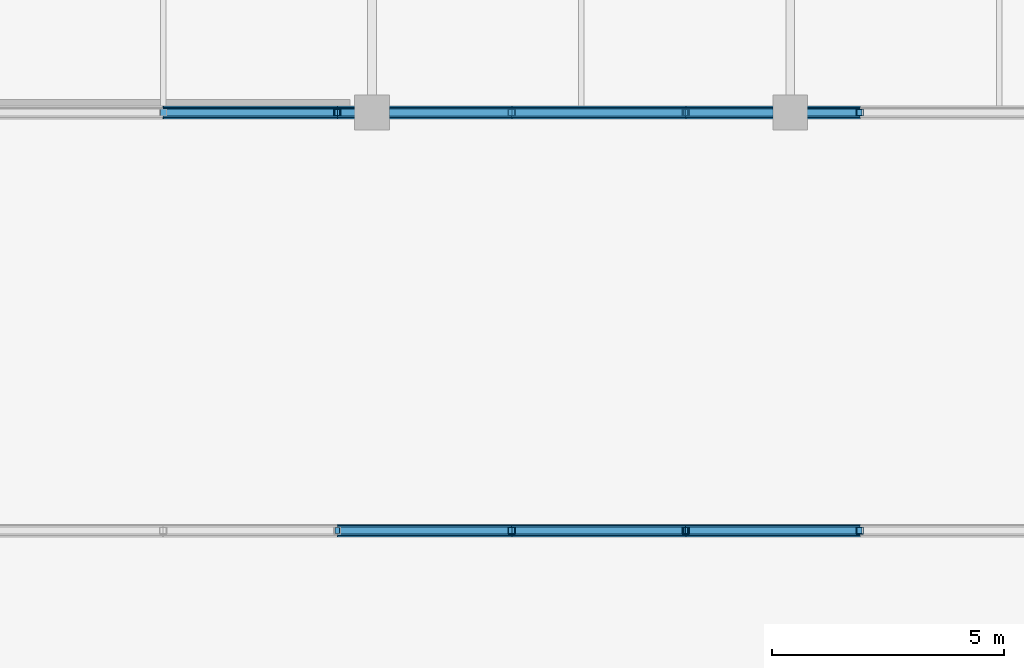
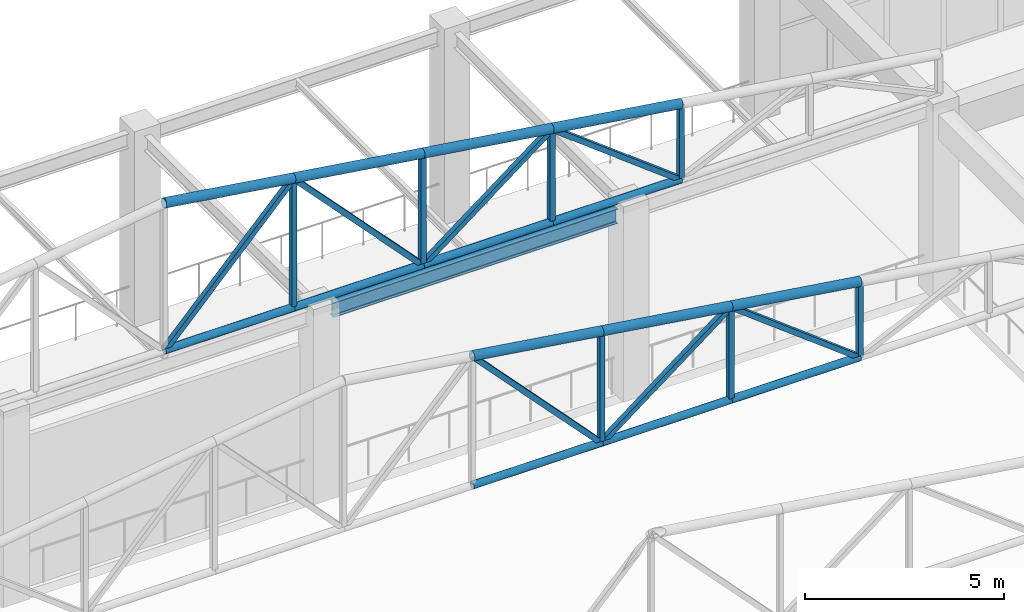
# One storey, part 61 of 223: 28 members, 1 beam.
"""IFC4 building model written with IfcOpenShell, lengths in metres."""

import ifcopenshell
import ifcopenshell.guid

model = None  # the IFC model being written
_history = None  # IfcOwnerHistory: only IFC2X3 demands one
_inside = {}  # id of a spatial element -> (the spatial element, [elements in it])
_under = {}  # id of a project, library or spatial element -> (it, [spatial elements below it])
_declared = {}  # id of a project -> (the project, [libraries it declares])
_typed = {}  # id of a type object -> (the type object, [elements of that type])
_made_of = {}  # id of a material, layer set ... -> (it, [elements and type objects made of it])


def new_model(schema):
    """Start an empty IFC model of exactly this schema.

    Asked for "IFC4X3", IfcOpenShell would pick the latest addendum, in which some entities
    have other attributes; the version numbers below select the first issue.
    IFC2X3 requires an IfcOwnerHistory on every rooted entity: one is made here for all.
    """
    global model, _history
    if schema == "IFC4X3":
        model = ifcopenshell.file(schema_version=(4, 3, 0, 0))
    else:
        model = ifcopenshell.file(schema=schema)
    _inside.clear()
    _under.clear()
    _declared.clear()
    _typed.clear()
    _made_of.clear()
    _history = None
    if model.schema == "IFC2X3":
        org = make("IfcOrganization", Name="unknown")
        user = make(
            "IfcPersonAndOrganization",
            ThePerson=make("IfcPerson", FamilyName="unknown"),
            TheOrganization=org,
        )
        app = make(
            "IfcApplication",
            ApplicationDeveloper=org,
            Version="unknown",
            ApplicationFullName="unknown",
            ApplicationIdentifier="unknown",
        )
        _history = make(
            "IfcOwnerHistory",
            OwningUser=user,
            OwningApplication=app,
            ChangeAction="ADDED",
            CreationDate=0,
        )
    return model


def make(cls, **values):
    """One entity of the class cls with the attributes given. An attribute that is None is left unset."""
    return model.create_entity(
        cls, **{name: value for name, value in values.items() if value is not None}
    )


def rooted(cls, **values):
    """An entity with a GlobalId (a new one), such as an element, a storey or a relation."""
    return make(cls, GlobalId=ifcopenshell.guid.new(), OwnerHistory=_history, **values)


def si_unit(unit_type, name, prefix=None):
    """IfcSIUnit, for example si_unit("LENGTHUNIT", "METRE", prefix="MILLI")."""
    return make("IfcSIUnit", UnitType=unit_type, Prefix=prefix, Name=name)


def assignment(units):
    """IfcUnitAssignment: the units of a project."""
    return None if units is None else make("IfcUnitAssignment", Units=units)


def point(xyz):
    """IfcCartesianPoint."""
    return None if xyz is None else make("IfcCartesianPoint", Coordinates=xyz)


def direction(xyz):
    """IfcDirection."""
    return None if xyz is None else make("IfcDirection", DirectionRatios=xyz)


def frame(location, z_axis=None, x_axis=None):
    """IfcAxis2Placement3D, a coordinate frame: its origin and axes. An axis left out is left unset."""
    return make(
        "IfcAxis2Placement3D",
        Location=point(location),
        Axis=direction(z_axis),
        RefDirection=direction(x_axis),
    )


def frame_2d(location, x_axis=None):
    """IfcAxis2Placement2D, a coordinate frame in the plane: its origin and x axis."""
    return make(
        "IfcAxis2Placement2D", Location=point(location), RefDirection=direction(x_axis)
    )


def origin():
    """The frame at (0, 0, 0) with its axes left unset."""
    return frame((0.0, 0.0, 0.0))


def origin_2d():
    """The frame at (0, 0) in the plane with its x axis left unset."""
    return frame_2d((0.0, 0.0))


def place(relative_to, where):
    """IfcLocalPlacement: puts the frame where relative to a parent placement (None: the world)."""
    return make(
        "IfcLocalPlacement", PlacementRelTo=relative_to, RelativePlacement=where
    )


def context(
    kind, dimensions, precision=None, world=None, true_north=None, identifier=None
):
    """IfcGeometricRepresentationContext, for example the 3D "Model" context."""
    return make(
        "IfcGeometricRepresentationContext",
        ContextIdentifier=identifier,
        ContextType=kind,
        CoordinateSpaceDimension=dimensions,
        Precision=precision,
        WorldCoordinateSystem=world,
        TrueNorth=true_north,
    )


def subcontext(parent, identifier, kind, view, scale=None):
    """IfcGeometricRepresentationSubContext, for example "Body" below "Model"."""
    return make(
        "IfcGeometricRepresentationSubContext",
        ContextIdentifier=identifier,
        ContextType=kind,
        ParentContext=parent,
        TargetScale=scale,
        TargetView=view,
    )


def project(units=None, contexts=None):
    """IfcProject with its units and contexts."""
    return rooted(
        "IfcProject",
        Name="project",
        RepresentationContexts=contexts,
        UnitsInContext=assignment(units),
    )


def spatial(cls, under=None, at=None, **own):
    """A site, building, storey or space (cls), placed at a placement, below another one or the project."""
    s = rooted(cls, ObjectPlacement=at, **own)
    if under is not None:
        _under.setdefault(under.id(), (under, []))[1].append(s)
    return s


def profile(cls, at=None, kind="AREA", **sizes):
    """A parametric profile (cls). Its sizes go by their IFC names, for example OverallWidth=200.0."""
    return make(cls, ProfileType=kind, Position=at, **sizes)


def hollow_rectangle(**sizes):
    """IfcRectangleHollowProfileDef."""
    return profile("IfcRectangleHollowProfileDef", **sizes)


def hollow_circle(**sizes):
    """IfcCircleHollowProfileDef."""
    return profile("IfcCircleHollowProfileDef", **sizes)


def i_section(**sizes):
    """IfcIShapeProfileDef."""
    return profile("IfcIShapeProfileDef", **sizes)


def extrude(swept, where, along, depth):
    """IfcExtrudedAreaSolid: the profile swept, set in the frame where, extruded along a direction by depth."""
    return make(
        "IfcExtrudedAreaSolid",
        SweptArea=swept,
        Position=where,
        ExtrudedDirection=direction(along),
        Depth=depth,
    )


def shape(context_of_items, identifier, shape_type, items):
    """IfcShapeRepresentation: the items that make up one representation, for example the "Body"."""
    return make(
        "IfcShapeRepresentation",
        ContextOfItems=context_of_items,
        RepresentationIdentifier=identifier,
        RepresentationType=shape_type,
        Items=items,
    )


def material(Name=None, Category=None):
    """IfcMaterial."""
    return make("IfcMaterial", Name=Name, Category=Category)


def material_profile(
    of_material, cross_section, Name=None, Category=None, Priority=None
):
    """IfcMaterialProfile: a cross section and its material."""
    return make(
        "IfcMaterialProfile",
        Name=Name,
        Material=of_material,
        Profile=cross_section,
        Priority=Priority,
        Category=Category,
    )


def profile_set(profiles, Name=None, composite=None):
    """IfcMaterialProfileSet."""
    return make(
        "IfcMaterialProfileSet",
        Name=Name,
        MaterialProfiles=profiles,
        CompositeProfile=composite,
    )


def made_of(thing, what):
    """Note that an element or type object is made of a material, layer set ...; save() writes the relation."""
    if what is not None:
        _made_of.setdefault(what.id(), (what, []))[1].append(thing)
    return thing


def type_object(cls, material=None, **own):
    """A type object (cls), such as IfcWallType, which elements share."""
    return made_of(rooted(cls, **own), material)


def element(
    cls,
    number,
    at=None,
    inside=None,
    cuts=None,
    type_object=None,
    material=None,
    context=None,
    identifier="Body",
    shape_type=None,
    held_by="IfcProductDefinitionShape",
    body=None,
    shapes=None,
    **own,
):
    """One element of the class cls, such as IfcWall. Its Tag is "e" and its number.

    at: its placement. inside: the storey or other place that contains it. cuts: it is an
    opening in that element (IfcRelVoidsElement). A single representation is given by context,
    identifier, shape_type and body (its items); several are given by shapes. held_by: the class
    of the entity that holds the representations. save() writes the other relations.
    """
    e = rooted(cls, Tag="e%d" % number, ObjectPlacement=at, **own)
    if body is not None:
        shapes = [shape(context, identifier, shape_type, body)]
    if shapes is not None:
        e.Representation = make(held_by, Representations=shapes)
    if inside is not None:
        _inside.setdefault(inside.id(), (inside, []))[1].append(e)
    if cuts is not None:
        rooted(
            "IfcRelVoidsElement", RelatingBuildingElement=cuts, RelatedOpeningElement=e
        )
    if type_object is not None:
        _typed.setdefault(type_object.id(), (type_object, []))[1].append(e)
    return made_of(e, material)


def aggregate(whole, parts):
    """IfcRelAggregates: a whole, such as a stair, and the parts it consists of."""
    return rooted("IfcRelAggregates", RelatingObject=whole, RelatedObjects=parts)


def save(model, path):
    """Write the relations noted so far, then the file.

    IfcRelAggregates (storeys below a building ...), IfcRelContainedInSpatialStructure (elements
    in a storey), IfcRelDefinesByType, IfcRelAssociatesMaterial and IfcRelDeclares: one each for
    every whole, place, type object, material and project.
    """
    for whole, parts in _under.values():
        aggregate(whole, parts)
    for where, things in _inside.values():
        rooted(
            "IfcRelContainedInSpatialStructure",
            RelatedElements=things,
            RelatingStructure=where,
        )
    for kind, things in _typed.values():
        rooted("IfcRelDefinesByType", RelatedObjects=things, RelatingType=kind)
    for what, things in _made_of.values():
        rooted("IfcRelAssociatesMaterial", RelatedObjects=things, RelatingMaterial=what)
    for by, libraries in _declared.values():
        rooted("IfcRelDeclares", RelatingContext=by, RelatedDefinitions=libraries)
    model.write(path)


model = new_model("IFC4")

# Units and contexts
model_context = context("Model", 3, precision=1e-05, world=origin(), true_north=direction((0.0, 1.0)))
body_context = subcontext(model_context, "Body", "Model", "MODEL_VIEW")
ifc_project = project(units=[si_unit("LENGTHUNIT", "METRE"), si_unit("AREAUNIT", "SQUARE_METRE"), si_unit("VOLUMEUNIT", "CUBIC_METRE"), si_unit("PLANEANGLEUNIT", "RADIAN"), si_unit("MASSUNIT", "GRAM", prefix="KILO")], contexts=[model_context])

# Site, building, storey
site_placement = place(None, origin())
site = spatial("IfcSite", under=ifc_project, at=site_placement, CompositionType="ELEMENT")
building_placement = place(site_placement, origin())
building = spatial("IfcBuilding", under=site, at=building_placement, Name="Dornveld Trade and Exhibition Forum", CompositionType="ELEMENT")
storey_placement = place(building_placement, frame((0.0, 0.0, 6.0)))
storey = spatial("IfcBuildingStorey", under=building, at=storey_placement, Name="L01", CompositionType="ELEMENT", Elevation=6.0)

# Beam
ifc_material_1 = material(Name="Steel S355J2", Category="steel")
ifc_material_profile_1 = material_profile(ifc_material_1, i_section(OverallWidth=0.18994140625, OverallDepth=0.449951171875, WebThickness=0.009521484375, FlangeThickness=0.0146484375, FilletRadius=0.02099609375, at=origin_2d()), Name="IPE 450")
ifc_profile_set_1 = profile_set([ifc_material_profile_1], Name="Steel S355J2")
beam_type = type_object("IfcBeamType", Name="BM-SEC-450", PredefinedType="BEAM", material=ifc_profile_set_1)
beam_placement = place(storey_placement, frame((180.37109375, 45.0, 5.554931640625), z_axis=(1.0, 0.0, 0.0), x_axis=(0.0, 1.0, 0.0)))
element("IfcBeam", 1, at=beam_placement, inside=storey, type_object=beam_type, Name="L01 X-girder 1739", PredefinedType="BEAM", context=body_context, shape_type="SweptSolid", body=[
    extrude(i_section(OverallWidth=0.18994140625, OverallDepth=0.449951171875, WebThickness=0.009521484375, FlangeThickness=0.0146484375, FilletRadius=0.02099609375, at=origin_2d()), origin(), (0.0, 0.0, 1.0), 8.2578125),
])

# Members
ifc_material_2 = material(Name="Steel S355J2", Category="steel")
ifc_material_profile_2 = material_profile(ifc_material_2, hollow_rectangle(XDim=0.14990234375, YDim=0.14990234375, WallThickness=0.008056640625, at=origin_2d()), Name="SHS 150x150x8")
ifc_profile_set_2 = profile_set([ifc_material_profile_2], Name="Steel S355J2")
member_type_1 = type_object("IfcMemberType", Name="MEM-ARCH-STR", PredefinedType="STRUT", material=ifc_profile_set_2)
member_1_placement = place(storey_placement, frame((183.0, 36.0, 5.97998046875), z_axis=(0.0, 0.0, 1.0), x_axis=(1.0, 0.0, 0.0)))
element("IfcMember", 2, at=member_1_placement, inside=storey, type_object=member_type_1, Name="Congress roof truss 5 post 9", PredefinedType="STRUT", context=body_context, shape_type="SweptSolid", body=[
    extrude(hollow_rectangle(XDim=0.14990234375, YDim=0.14990234375, WallThickness=0.008056640625, at=origin_2d()), origin(), (0.0, 0.0, 1.0), 3.419921875),
])
member_2_placement = place(storey_placement, frame((186.75, 36.0, 5.97998046875), z_axis=(0.0, 0.0, 1.0), x_axis=(1.0, 0.0, 0.0)))
element("IfcMember", 3, at=member_2_placement, inside=storey, type_object=member_type_1, Name="Congress roof truss 5 post 10", PredefinedType="STRUT", context=body_context, shape_type="SweptSolid", body=[
    extrude(hollow_rectangle(XDim=0.14990234375, YDim=0.14990234375, WallThickness=0.008056640625, at=origin_2d()), origin(), (0.0, 0.0, 1.0), 2.8701171875),
])
member_3_placement = place(storey_placement, frame((190.5, 36.0, 5.97998046875), z_axis=(0.0, 0.0, 1.0), x_axis=(1.0, 0.0, 0.0)))
element("IfcMember", 4, at=member_3_placement, inside=storey, type_object=member_type_1, Name="Congress roof truss 5 post 11", PredefinedType="STRUT", context=body_context, shape_type="SweptSolid", body=[
    extrude(hollow_rectangle(XDim=0.14990234375, YDim=0.14990234375, WallThickness=0.008056640625, at=origin_2d()), origin(), (0.0, 0.0, 1.0), 2.320068359375),
])
member_4_placement = place(storey_placement, frame((179.25, 45.0, 5.97998046875), z_axis=(0.0, 0.0, 1.0), x_axis=(1.0, 0.0, 0.0)))
element("IfcMember", 5, at=member_4_placement, inside=storey, type_object=member_type_1, Name="Congress roof truss 6 post 8", PredefinedType="STRUT", context=body_context, shape_type="SweptSolid", body=[
    extrude(hollow_rectangle(XDim=0.14990234375, YDim=0.14990234375, WallThickness=0.008056640625, at=origin_2d()), origin(), (0.0, 0.0, 1.0), 3.969970703125),
])
member_5_placement = place(storey_placement, frame((183.0, 45.0, 5.97998046875), z_axis=(0.0, 0.0, 1.0), x_axis=(1.0, 0.0, 0.0)))
element("IfcMember", 6, at=member_5_placement, inside=storey, type_object=member_type_1, Name="Congress roof truss 6 post 9", PredefinedType="STRUT", context=body_context, shape_type="SweptSolid", body=[
    extrude(hollow_rectangle(XDim=0.14990234375, YDim=0.14990234375, WallThickness=0.008056640625, at=origin_2d()), origin(), (0.0, 0.0, 1.0), 3.419921875),
])
member_6_placement = place(storey_placement, frame((186.75, 45.0, 5.97998046875), z_axis=(0.0, 0.0, 1.0), x_axis=(1.0, 0.0, 0.0)))
element("IfcMember", 7, at=member_6_placement, inside=storey, type_object=member_type_1, Name="Congress roof truss 6 post 10", PredefinedType="STRUT", context=body_context, shape_type="SweptSolid", body=[
    extrude(hollow_rectangle(XDim=0.14990234375, YDim=0.14990234375, WallThickness=0.008056640625, at=origin_2d()), origin(), (0.0, 0.0, 1.0), 2.8701171875),
])
member_7_placement = place(storey_placement, frame((190.5, 45.0, 5.97998046875), z_axis=(0.0, 0.0, 1.0), x_axis=(1.0, 0.0, 0.0)))
element("IfcMember", 8, at=member_7_placement, inside=storey, type_object=member_type_1, Name="Congress roof truss 6 post 11", PredefinedType="STRUT", context=body_context, shape_type="SweptSolid", body=[
    extrude(hollow_rectangle(XDim=0.14990234375, YDim=0.14990234375, WallThickness=0.008056640625, at=origin_2d()), origin(), (0.0, 0.0, 1.0), 2.320068359375),
])
ifc_material_3 = material(Name="Steel S355J2", Category="steel")
ifc_material_profile_3 = material_profile(ifc_material_3, hollow_circle(Radius=0.109619140625, WallThickness=0.010009765625, at=origin_2d()), Name="CHS 219.1x10")
ifc_profile_set_3 = profile_set([ifc_material_profile_3], Name="Steel S355J2")
member_type_2 = type_object("IfcMemberType", Name="MEM-CONG-BC", PredefinedType="CHORD", material=ifc_profile_set_3)
for number, where, z_axis, x_axis, name in (
    (9, (179.25, 36.0, 5.97998046875), (1.0, 0.0, 0.0), (0.0, 1.0, 0.0), "Congress roof truss 5 bottom chord 8"),
    (10, (183.0, 36.0, 5.97998046875), (1.0, 0.0, 0.0), (0.0, 1.0, 0.0), "Congress roof truss 5 bottom chord 9"),
    (11, (186.75, 36.0, 5.97998046875), (1.0, 0.0, 0.0), (0.0, 1.0, 0.0), "Congress roof truss 5 bottom chord 10"),
    (12, (175.5, 45.0, 5.97998046875), (1.0, 0.0, 0.0), (0.0, 1.0, 0.0), "Congress roof truss 6 bottom chord 7"),
    (13, (179.25, 45.0, 5.97998046875), (1.0, 0.0, 0.0), (0.0, 1.0, 0.0), "Congress roof truss 6 bottom chord 8"),
    (14, (183.0, 45.0, 5.97998046875), (1.0, 0.0, 0.0), (0.0, 1.0, 0.0), "Congress roof truss 6 bottom chord 9"),
    (15, (186.75, 45.0, 5.97998046875), (1.0, 0.0, 0.0), (0.0, 1.0, 0.0), "Congress roof truss 6 bottom chord 10"),
):
    element("IfcMember", number, at=place(storey_placement, frame(where, z_axis=z_axis, x_axis=x_axis)), inside=storey, type_object=member_type_2, Name=name, PredefinedType="CHORD", context=body_context, shape_type="SweptSolid", body=[
        extrude(hollow_circle(Radius=0.109619140625, WallThickness=0.010009765625, at=origin_2d()), origin(), (0.0, 0.0, 1.0), 3.75),
    ])
ifc_material_4 = material(Name="Steel S355J2", Category="steel")
ifc_material_profile_4 = material_profile(ifc_material_4, hollow_circle(Radius=0.136474609375, WallThickness=0.012451171875, at=origin_2d()), Name="CHS 273x12.5")
ifc_profile_set_4 = profile_set([ifc_material_profile_4], Name="Steel S355J2")
member_type_3 = type_object("IfcMemberType", Name="MEM-CONG-TC", PredefinedType="CHORD", material=ifc_profile_set_4)
for number, where, z_axis, x_axis, name in (
    (16, (179.25, 36.0, 9.949951171875), (0.989413064489, 0.0, -0.145126799108), (0.0, 1.0, 0.0), "Congress roof truss 5 top chord 8"),
    (17, (183.0, 36.0, 9.39990234375), (0.989422311926, 0.0, -0.145063740004), (0.0, 1.0, 0.0), "Congress roof truss 5 top chord 9"),
    (18, (186.75, 36.0, 8.85009765625), (0.989413064489, 0.0, -0.145126799108), (0.0, 1.0, 0.0), "Congress roof truss 5 top chord 10"),
    (19, (175.5, 45.0, 10.5), (0.989413064489, 0.0, -0.145126799108), (0.0, 1.0, 0.0), "Congress roof truss 6 top chord 7"),
    (20, (179.25, 45.0, 9.949951171875), (0.989413064489, 0.0, -0.145126799108), (0.0, 1.0, 0.0), "Congress roof truss 6 top chord 8"),
    (21, (183.0, 45.0, 9.39990234375), (0.989422311926, 0.0, -0.145063740004), (0.0, 1.0, 0.0), "Congress roof truss 6 top chord 9"),
    (22, (186.75, 45.0, 8.85009765625), (0.989413064489, 0.0, -0.145126799108), (0.0, 1.0, 0.0), "Congress roof truss 6 top chord 10"),
):
    element("IfcMember", number, at=place(storey_placement, frame(where, z_axis=z_axis, x_axis=x_axis)), inside=storey, type_object=member_type_3, Name=name, PredefinedType="CHORD", context=body_context, shape_type="SweptSolid", body=[
        extrude(hollow_circle(Radius=0.136474609375, WallThickness=0.012451171875, at=origin_2d()), origin(), (0.0, 0.0, 1.0), 3.7900390625),
    ])
ifc_material_5 = material(Name="Steel S355J2", Category="steel")
ifc_material_profile_5 = material_profile(ifc_material_5, hollow_rectangle(XDim=0.14990234375, YDim=0.14990234375, WallThickness=0.008056640625, at=origin_2d()), Name="SHS 150x150x8")
ifc_profile_set_5 = profile_set([ifc_material_profile_5], Name="Steel S355J2")
member_type_4 = type_object("IfcMemberType", Name="MEM-CONG-WEB", PredefinedType="BRACE", material=ifc_profile_set_5)
member_8_placement = place(storey_placement, frame((183.0, 36.0, 5.97998046875), z_axis=(-0.686679978257, 0.0, 0.72695983896), x_axis=(0.0, -1.0, 0.0)))
element("IfcMember", 23, at=member_8_placement, inside=storey, type_object=member_type_4, Name="Congress roof truss 5 web 8", PredefinedType="BRACE", context=body_context, shape_type="SweptSolid", body=[
    extrude(hollow_rectangle(XDim=0.14990234375, YDim=0.14990234375, WallThickness=0.008056640625, at=origin_2d()), origin(), (0.0, 0.0, 1.0), 5.4609375),
])
for number, where, z_axis, x_axis, name in (
    (24, (183.0, 36.0, 5.97998046875), (0.794105362147, 0.0, 0.607780119623), (0.0, 1.0, 0.0), "Congress roof truss 5 web 9"),
    (25, (190.5, 36.0, 5.97998046875), (-0.794105362147, 0.0, 0.607780119623), (0.0, -1.0, 0.0), "Congress roof truss 5 web 10"),
):
    element("IfcMember", number, at=place(storey_placement, frame(where, z_axis=z_axis, x_axis=x_axis)), inside=storey, type_object=member_type_4, Name=name, PredefinedType="BRACE", context=body_context, shape_type="SweptSolid", body=[
        extrude(hollow_rectangle(XDim=0.14990234375, YDim=0.14990234375, WallThickness=0.008056640625, at=origin_2d()), origin(), (0.0, 0.0, 1.0), 4.722412109375),
    ])
for number, where, z_axis, x_axis, name in (
    (26, (175.5, 45.0, 5.97998046875), (0.686679978257, 0.0, 0.72695983896), (0.0, 1.0, 0.0), "Congress roof truss 6 web 7"),
    (27, (183.0, 45.0, 5.97998046875), (-0.686679978257, 0.0, 0.72695983896), (0.0, -1.0, 0.0), "Congress roof truss 6 web 8"),
):
    element("IfcMember", number, at=place(storey_placement, frame(where, z_axis=z_axis, x_axis=x_axis)), inside=storey, type_object=member_type_4, Name=name, PredefinedType="BRACE", context=body_context, shape_type="SweptSolid", body=[
        extrude(hollow_rectangle(XDim=0.14990234375, YDim=0.14990234375, WallThickness=0.008056640625, at=origin_2d()), origin(), (0.0, 0.0, 1.0), 5.4609375),
    ])
for number, where, z_axis, x_axis, name in (
    (28, (183.0, 45.0, 5.97998046875), (0.794105362147, 0.0, 0.607780119623), (0.0, 1.0, 0.0), "Congress roof truss 6 web 9"),
    (29, (190.5, 45.0, 5.97998046875), (-0.794105362147, 0.0, 0.607780119623), (0.0, -1.0, 0.0), "Congress roof truss 6 web 10"),
):
    element("IfcMember", number, at=place(storey_placement, frame(where, z_axis=z_axis, x_axis=x_axis)), inside=storey, type_object=member_type_4, Name=name, PredefinedType="BRACE", context=body_context, shape_type="SweptSolid", body=[
        extrude(hollow_rectangle(XDim=0.14990234375, YDim=0.14990234375, WallThickness=0.008056640625, at=origin_2d()), origin(), (0.0, 0.0, 1.0), 4.722412109375),
    ])

save(model, "model.ifc")
